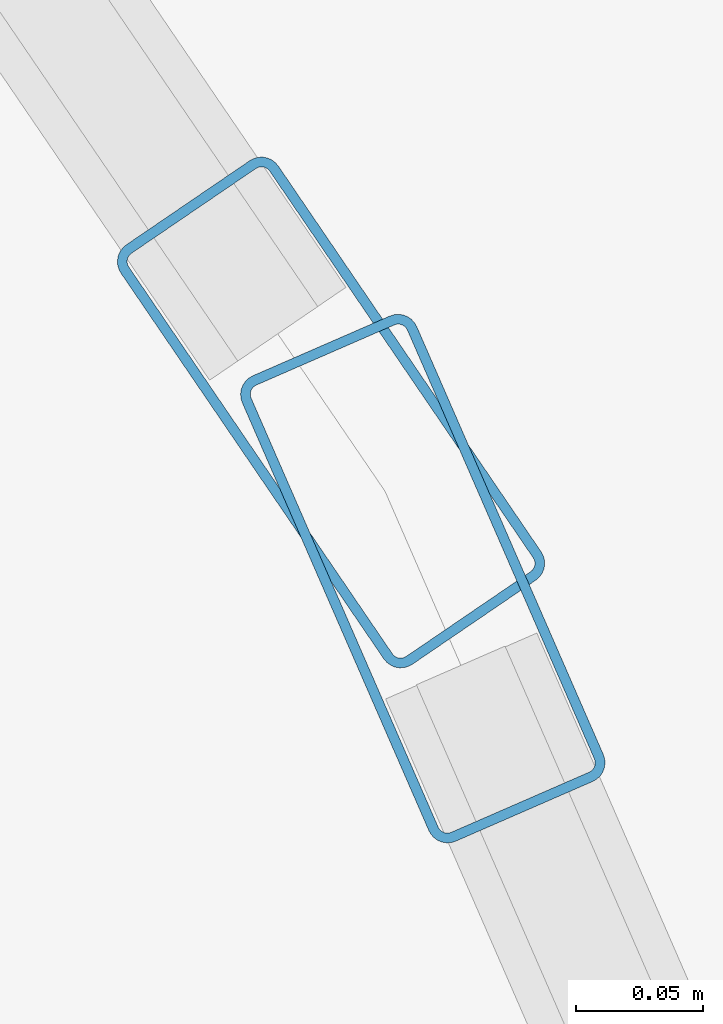
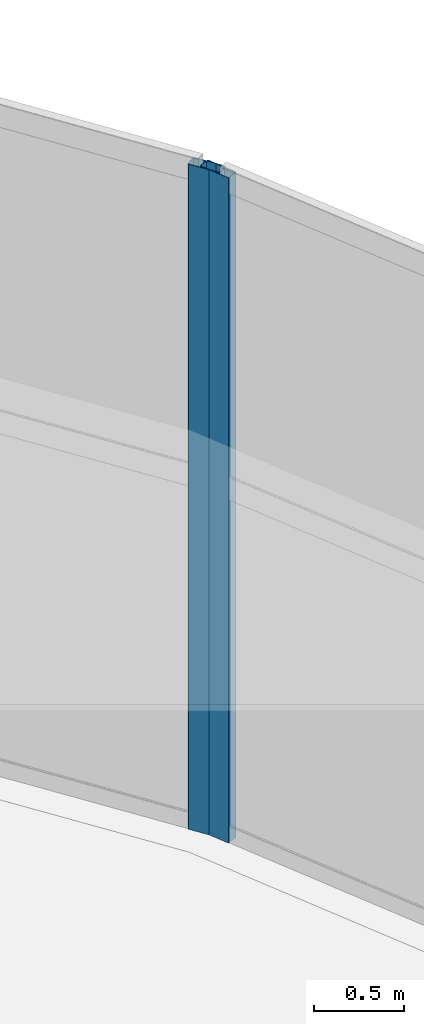
# One storey, part 20 of 36: 2 members, 2 elements without a shape of their own.
"""IFC4 building model written with IfcOpenShell, lengths in metres."""

from ifc_helpers import new_model, si_unit, direction, frame, origin, origin_2d, place, context, subcontext, project, spatial, hollow_rectangle, extrude, material, layer, layer_set, material_profile, profile_set, type_object, element, aggregate, save


model = new_model("IFC4")

# Units and contexts
model_context = context("Model", 3, precision=1e-05, world=origin(), true_north=direction((0.0, 1.0)))
body_context = subcontext(model_context, "Body", "Model", "MODEL_VIEW")
ifc_project = project(units=[si_unit("LENGTHUNIT", "METRE"), si_unit("AREAUNIT", "SQUARE_METRE"), si_unit("VOLUMEUNIT", "CUBIC_METRE"), si_unit("PLANEANGLEUNIT", "RADIAN"), si_unit("MASSUNIT", "GRAM", prefix="KILO")], contexts=[model_context])

# Site, building, storey
site_placement = place(None, origin())
site = spatial("IfcSite", under=ifc_project, at=site_placement, CompositionType="ELEMENT")
building_placement = place(site_placement, origin())
building = spatial("IfcBuilding", under=site, at=building_placement, Name="Qorvath Tower", CompositionType="ELEMENT")
storey_placement = place(building_placement, frame((0.0, 0.0, 255.0)))
storey = spatial("IfcBuildingStorey", under=building, at=storey_placement, Name="L59", CompositionType="ELEMENT", Elevation=255.0)

# Curtain wall, member
ifc_material_1 = material(Name="Anodised aluminium and triple low-E glass", Category="aluminium")
ifc_layer = layer(ifc_material_1, 0.179931640625)
ifc_layer_set = layer_set([ifc_layer], Name="CW-SYS-5")
curtain_wall_type = type_object("IfcCurtainWallType", Name="CW-SYS-5", PredefinedType="NOTDEFINED", material=ifc_layer_set)
curtain_wall_1_placement = place(storey_placement, origin())
curtain_wall_1 = element("IfcCurtainWall", 1, at=curtain_wall_1_placement, inside=storey, type_object=curtain_wall_type, Name="Curtain Wall CW-5 CW-T-L59-12.1", PredefinedType="NOTDEFINED")
ifc_material_2 = material(Name="Anodised aluminium 6063-T6", Category="aluminium")
ifc_material_profile = material_profile(ifc_material_2, hollow_rectangle(XDim=0.074951171875, YDim=0.199951171875, WallThickness=0.00390625, InnerFilletRadius=0.00390625, OuterFilletRadius=0.008056640625, at=origin_2d()), Name="CWM 200x75")
ifc_profile_set = profile_set([ifc_material_profile], Name="Anodised aluminium 6063-T6")
member_type = type_object("IfcMemberType", Name="CWM-200", PredefinedType="MULLION", material=ifc_profile_set)
member_1_placement = place(storey_placement, frame((-4.427978515625, 14.62646484375, 0.0), z_axis=(0.0, 0.0, 1.0), x_axis=(-0.916660953687, -0.399665730312, 0.0)))
member_1 = element("IfcMember", 2, at=member_1_placement, type_object=member_type, Name="CW-5 mullion 2", PredefinedType="MULLION", context=body_context, shape_type="SweptSolid", body=[
    extrude(hollow_rectangle(XDim=0.074951171875, YDim=0.199951171875, WallThickness=0.00390625, InnerFilletRadius=0.00390625, OuterFilletRadius=0.008056640625, at=origin_2d()), origin(), (0.0, 0.0, 1.0), 4.510009765625),
])
aggregate(curtain_wall_1, [member_1])

curtain_wall_2_placement = place(storey_placement, origin())
curtain_wall_2 = element("IfcCurtainWall", 3, at=curtain_wall_2_placement, inside=storey, type_object=curtain_wall_type, Name="Curtain Wall CW-5 CW-T-L59-13.1", PredefinedType="NOTDEFINED")
member_2_placement = place(storey_placement, frame((-4.464111328125, 14.69189453125, 0.0), z_axis=(0.0, 0.0, 1.0), x_axis=(-0.826378685409, -0.563114791407, 0.0)))
member_2 = element("IfcMember", 4, at=member_2_placement, type_object=member_type, Name="CW-5 mullion 1", PredefinedType="MULLION", context=body_context, shape_type="SweptSolid", body=[
    extrude(hollow_rectangle(XDim=0.074951171875, YDim=0.199951171875, WallThickness=0.00390625, InnerFilletRadius=0.00390625, OuterFilletRadius=0.008056640625, at=origin_2d()), origin(), (0.0, 0.0, 1.0), 4.510009765625),
])
aggregate(curtain_wall_2, [member_2])

save(model, "model.ifc")
